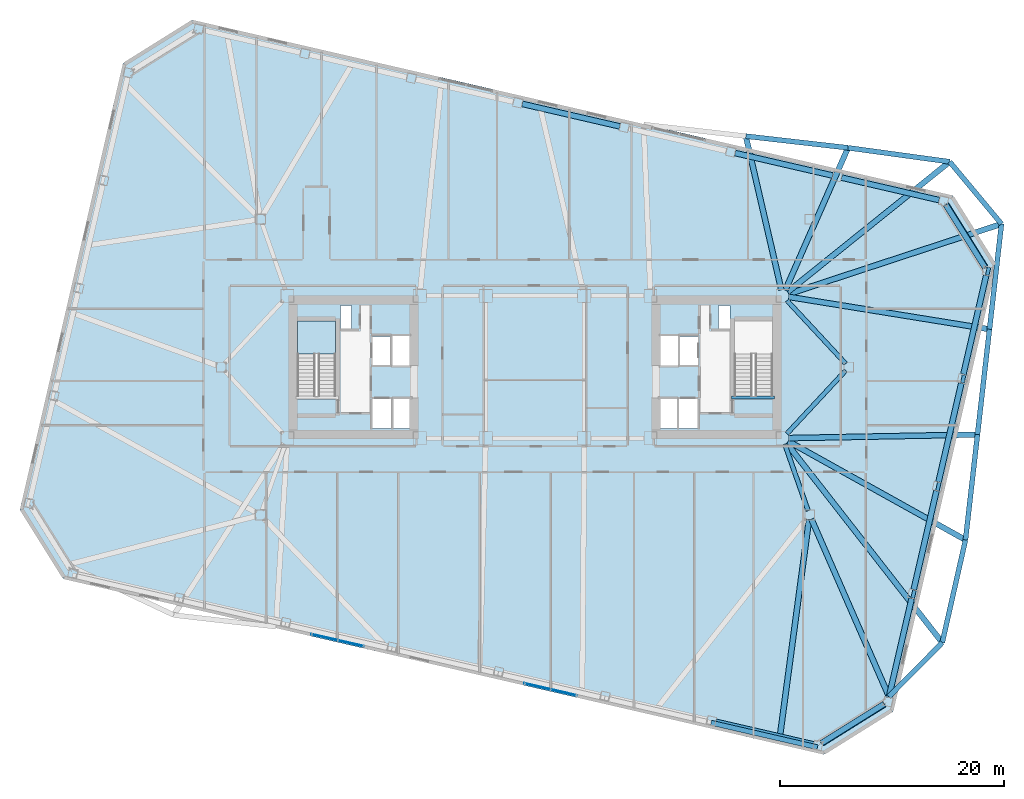
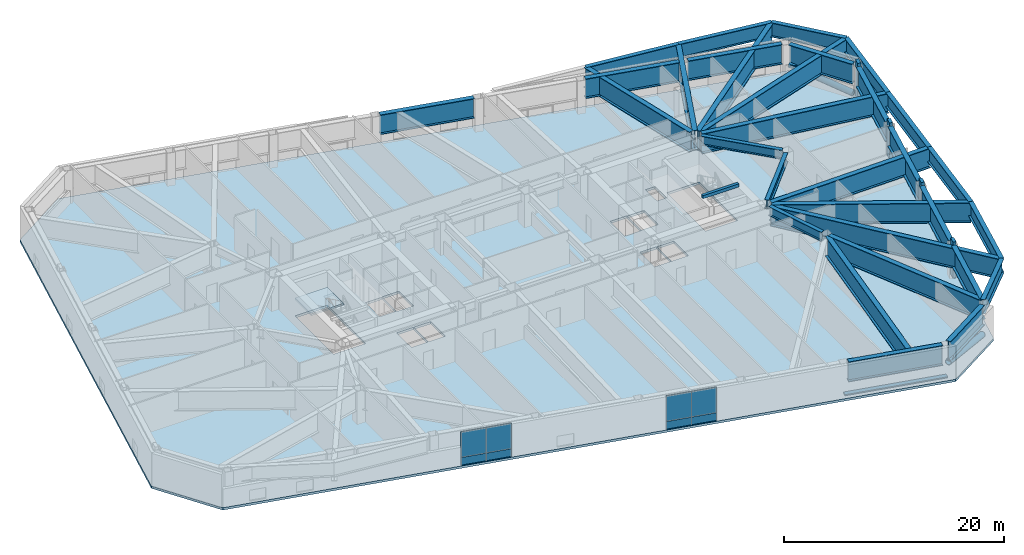
# One storey, part 8 of 19: 32 beams, 8 plates, 7 members, 2 slabs, 3 elements without a shape of their own.
"""IFC4 building model written with IfcOpenShell, lengths in metres."""

from ifc_helpers import new_model, si_unit, direction, frame, origin, origin_2d, place, context, subcontext, project, spatial, polyline, rectangle, hollow_circle, i_section, outline, extrude, material, layer, layer_set, material_profile, profile_set, type_object, element, aggregate, save


model = new_model("IFC4")

# Units and contexts
model_context = context("Model", 3, precision=1e-05, world=origin(), true_north=direction((0.0, 1.0)))
body_context = subcontext(model_context, "Body", "Model", "MODEL_VIEW")
ifc_project = project(units=[si_unit("LENGTHUNIT", "METRE"), si_unit("AREAUNIT", "SQUARE_METRE"), si_unit("VOLUMEUNIT", "CUBIC_METRE"), si_unit("PLANEANGLEUNIT", "RADIAN"), si_unit("MASSUNIT", "GRAM", prefix="KILO")], contexts=[model_context])

# Site, building, storey
site_placement = place(None, origin())
site = spatial("IfcSite", under=ifc_project, at=site_placement, CompositionType="ELEMENT")
building_placement = place(site_placement, origin())
building = spatial("IfcBuilding", under=site, at=building_placement, Name="Tavrogorsk Clinical Tower", CompositionType="ELEMENT")
storey_placement = place(building_placement, frame((0.0, 0.0, 79.39990234375)))
storey = spatial("IfcBuildingStorey", under=building, at=storey_placement, Name="L17", CompositionType="ELEMENT", Elevation=79.39990234375)

# Members
ifc_material_1 = material(Name="Anodised aluminium alloy AW-6063", Category="aluminium")
ifc_material_profile_1 = material_profile(ifc_material_1, rectangle(XDim=0.449951171875, YDim=0.1201171875, at=origin_2d()), Name="ALU-SUNSHADE-450x120")
ifc_profile_set_1 = profile_set([ifc_material_profile_1], Name="Anodised aluminium alloy AW-6063")
member_type_1 = type_object("IfcMemberType", Name="ChicagoSunshade_450x120", PredefinedType="USERDEFINED", material=ifc_profile_set_1)
member_placement = place(storey_placement, frame((15.700439453125, -31.739013671875, 0.18017578125), z_axis=(0.97437219846, -0.224941812182, 0.0), x_axis=(0.224941812182, 0.97437219846, 0.0)))
element("IfcMember", 1, at=member_placement, inside=storey, type_object=member_type_1, Name="L17 South Aluminium Sunshade S7", ObjectType="SUNSHADE", PredefinedType="USERDEFINED", context=body_context, shape_type="SweptSolid", body=[
    extrude(rectangle(XDim=0.449951171875, YDim=0.1201171875, at=origin_2d()), origin(), (0.0, 0.0, 1.0), 9.74853515625),
])
ifc_material_2 = material(Name="Structural steel S440", Category="steel")
ifc_material_profile_2 = material_profile(ifc_material_2, hollow_circle(Radius=0.304931640625, WallThickness=0.02490234375, at=origin_2d()), Name="CHS-610x25")
ifc_profile_set_2 = profile_set([ifc_material_profile_2], Name="Structural steel S440")
member_type_2 = type_object("IfcMemberType", Name="ExoBrace_CHS610", PredefinedType="BRACE", material=ifc_profile_set_2)
for number, where, z_axis, x_axis, name in (
    (2, (31.13427734375, -30.073486328125, 0.362060546875), (-0.838216058461, -0.523760647531, 0.151883585143), (0.529908438785, -0.848054860551, 0.0), "L17 Corner Exoskeleton Brace S8-E1"),
    (3, (40.134521484375, 8.911376953125, 0.362060546875), (-0.523744467234, 0.838227018701, 0.151878893074), (-0.848065330806, -0.52989168203, 0.0), "L17 Corner Exoskeleton Brace E5-N1"),
):
    element("IfcMember", number, at=place(storey_placement, frame(where, z_axis=z_axis, x_axis=x_axis)), inside=storey, type_object=member_type_2, Name=name, PredefinedType="BRACE", context=body_context, shape_type="SweptSolid", body=[
        extrude(hollow_circle(Radius=0.304931640625, WallThickness=0.02490234375, at=origin_2d()), origin(), (0.0, 0.0, 1.0), 6.624267578125),
    ])
ifc_material_3 = material(Name="Precast concrete B45 with limestone cladding", Category="masonry")
ifc_material_profile_3 = material_profile(ifc_material_3, rectangle(XDim=0.320068359375, YDim=0.719970703125, at=origin_2d()), Name="LIMESTONE-FIN-320x720")
ifc_profile_set_3 = profile_set([ifc_material_profile_3], Name="Precast concrete B45 with limestone cladding")
member_type_3 = type_object("IfcMemberType", Name="LimestonePleatFin_320x720", PredefinedType="USERDEFINED", material=ifc_profile_set_3)
for number, where, z_axis, x_axis, name in (
    (4, (33.772216796875, -20.2705078125, 0.0), (0.0, 0.0, 1.0), (0.974370064785, -0.224951054344, 0.0), "L17 E Pleated Stone Fin 1"),
    (5, (35.990234375, -10.6630859375, 0.0), (0.0, 0.0, 1.0), (0.974370064785, -0.224951054344, 0.0), "L17 E Pleated Stone Fin 2"),
    (6, (38.208251953125, -1.055908203125, 0.0), (0.0, 0.0, 1.0), (0.974370064785, -0.224951054344, 0.0), "L17 E Pleated Stone Fin 3"),
    (7, (40.42626953125, 8.551513671875, 0.0), (0.0, 0.0, 1.0), (0.974370064785, -0.224951054344, 0.0), "L17 E Pleated Stone Fin 4"),
):
    element("IfcMember", number, at=place(storey_placement, frame(where, z_axis=z_axis, x_axis=x_axis)), inside=storey, type_object=member_type_3, Name=name, ObjectType="FIN", PredefinedType="USERDEFINED", context=body_context, shape_type="SweptSolid", body=[
        extrude(rectangle(XDim=0.320068359375, YDim=0.719970703125, at=origin_2d()), origin(), (0.0, 0.0, 1.0), 4.0),
    ])

# Beams
ifc_material_4 = material(Name="Concrete B60", Category="concrete")
ifc_material_profile_4 = material_profile(ifc_material_4, rectangle(XDim=0.300048828125, YDim=0.35009765625, at=origin_2d()), Name="RC-SHB-300x350")
ifc_profile_set_4 = profile_set([ifc_material_profile_4], Name="Concrete B60")
beam_type_1 = type_object("IfcBeamType", Name="StairHeaderBeam_RC300x350", PredefinedType="BEAM", material=ifc_profile_set_4)
beam_1_placement = place(storey_placement, frame((17.550048828125, -2.719970703125, 3.8251953125), z_axis=(1.0, 0.0, 0.0), x_axis=(0.0, 1.0, 0.0)))
element("IfcBeam", 8, at=beam_1_placement, inside=storey, type_object=beam_type_1, Name="L18 ST-E Landing Header Beam", PredefinedType="BEAM", context=body_context, shape_type="SweptSolid", body=[
    extrude(rectangle(XDim=0.300048828125, YDim=0.35009765625, at=origin_2d()), origin(), (0.0, 0.0, 1.0), 3.800048828125),
])
ifc_material_5 = material(Name="Structural steel S440", Category="steel")
ifc_material_profile_5 = material_profile(ifc_material_5, i_section(OverallWidth=0.39990234375, OverallDepth=1.0, WebThickness=0.028076171875, FlangeThickness=0.044921875, at=origin_2d()), Name="DK-1000x400x28x45")
ifc_profile_set_5 = profile_set([ifc_material_profile_5], Name="Structural steel S440")
beam_type_2 = type_object("IfcBeamType", Name="TransferGirder_DK1000", PredefinedType="USERDEFINED", material=ifc_profile_set_5)
beam_2_placement = place(storey_placement, frame((24.364501953125, -12.81298828125, 3.18017578125), z_axis=(-0.330668611543, 0.943746930771, 0.0), x_axis=(-0.943746930771, -0.330668611543, 0.0)))
element("IfcBeam", 9, at=beam_2_placement, inside=storey, type_object=beam_type_2, Name="L17 Spine Link Girder OPG-2", ObjectType="GIRDER", PredefinedType="USERDEFINED", context=body_context, shape_type="SweptSolid", body=[
    extrude(i_section(OverallWidth=0.39990234375, OverallDepth=1.0, WebThickness=0.028076171875, FlangeThickness=0.044921875, at=origin_2d()), origin(), (0.0, 0.0, 1.0), 6.288330078125),
])
for number, where, z_axis, x_axis, name in (
    (10, (27.720947265625, -0.30029296875, 3.18017578125), (-0.680671250221, -0.732589004233, 0.0), (0.732589004233, -0.680671250221, 0.0), "L17 Spine Link Girder OPG-7"),
    (11, (27.720947265625, 0.30029296875, 3.18017578125), (-0.680671250221, 0.732589004233, 0.0), (-0.732589004233, -0.680671250221, 0.0), "L17 Spine Link Girder OPG-8"),
):
    element("IfcBeam", number, at=place(storey_placement, frame(where, z_axis=z_axis, x_axis=x_axis)), inside=storey, type_object=beam_type_2, Name=name, ObjectType="GIRDER", PredefinedType="USERDEFINED", context=body_context, shape_type="SweptSolid", body=[
        extrude(i_section(OverallWidth=0.39990234375, OverallDepth=1.0, WebThickness=0.028076171875, FlangeThickness=0.044921875, at=origin_2d()), origin(), (0.0, 0.0, 1.0), 7.697998046875),
    ])
ifc_material_6 = material(Name="Structural steel S440", Category="steel")
ifc_material_profile_6 = material_profile(ifc_material_6, i_section(OverallWidth=0.449951171875, OverallDepth=1.60009765625, WebThickness=0.031982421875, FlangeThickness=0.050048828125, at=origin_2d()), Name="DK-1600x450x32x50")
ifc_profile_set_6 = profile_set([ifc_material_profile_6], Name="Structural steel S440")
beam_type_3 = type_object("IfcBeamType", Name="TransferGirder_DK1600", PredefinedType="USERDEFINED", material=ifc_profile_set_6)
beam_3_placement = place(storey_placement, frame((31.58251953125, -29.3994140625, 2.880126953125), z_axis=(0.703068804419, 0.711121829402, 0.0), x_axis=(-0.711121829402, 0.703068804419, 0.0)))
element("IfcBeam", 12, at=beam_3_placement, inside=storey, type_object=beam_type_3, Name="L18 Transfer Edge Girder S8-E1", ObjectType="GIRDER", PredefinedType="USERDEFINED", context=body_context, shape_type="SweptSolid", body=[
    extrude(i_section(OverallWidth=0.449951171875, OverallDepth=1.60009765625, WebThickness=0.031982421875, FlangeThickness=0.050048828125, at=origin_2d()), origin(), (0.0, 0.0, 1.0), 6.760498046875),
])
beam_4_placement = place(storey_placement, frame((36.335693359375, -24.591796875, 2.880126953125), z_axis=(0.220594890978, 0.97536551819, 0.0), x_axis=(-0.97536551819, 0.220594890978, 0.0)))
element("IfcBeam", 13, at=beam_4_placement, inside=storey, type_object=beam_type_3, Name="L18 Transfer Edge Girder E1-E2", ObjectType="GIRDER", PredefinedType="USERDEFINED", context=body_context, shape_type="SweptSolid", body=[
    extrude(i_section(OverallWidth=0.449951171875, OverallDepth=1.60009765625, WebThickness=0.031982421875, FlangeThickness=0.050048828125, at=origin_2d()), origin(), (0.0, 0.0, 1.0), 9.3994140625),
])
for number, where, z_axis, x_axis, name in (
    (14, (38.4091796875, -15.423828125, 2.880126953125), (0.113192845015, 0.993573036992, 0.0), (-0.993573036992, 0.113192845015, 0.0), "L18 Transfer Edge Girder E2-E3"),
    (15, (39.47998046875, -6.024658203125, 2.880126953125), (0.113218322001, 0.993570134195, 0.0), (-0.993570134195, 0.113218322001, 0.0), "L18 Transfer Edge Girder E3-E4"),
    (16, (40.551025390625, 3.37451171875, 2.880126953125), (0.113192845015, 0.993573036992, 0.0), (-0.993573036992, 0.113192845015, 0.0), "L18 Transfer Edge Girder E4-E5"),
):
    element("IfcBeam", number, at=place(storey_placement, frame(where, z_axis=z_axis, x_axis=x_axis)), inside=storey, type_object=beam_type_3, Name=name, ObjectType="GIRDER", PredefinedType="USERDEFINED", context=body_context, shape_type="SweptSolid", body=[
        extrude(i_section(OverallWidth=0.449951171875, OverallDepth=1.60009765625, WebThickness=0.031982421875, FlangeThickness=0.050048828125, at=origin_2d()), origin(), (0.0, 0.0, 1.0), 9.4599609375),
    ])
beam_5_placement = place(storey_placement, frame((41.621826171875, 12.773681640625, 2.880126953125), z_axis=(-0.640217638562, 0.768193579298, 0.0), x_axis=(-0.768193579298, -0.640217638562, 0.0)))
element("IfcBeam", 17, at=beam_5_placement, inside=storey, type_object=beam_type_3, Name="L18 Transfer Edge Girder E5-N1", ObjectType="GIRDER", PredefinedType="USERDEFINED", context=body_context, shape_type="SweptSolid", body=[
    extrude(i_section(OverallWidth=0.449951171875, OverallDepth=1.60009765625, WebThickness=0.031982421875, FlangeThickness=0.050048828125, at=origin_2d()), origin(), (0.0, 0.0, 1.0), 7.224365234375),
])
beam_6_placement = place(storey_placement, frame((36.99658203125, 18.323486328125, 2.880126953125), z_axis=(-0.990724394694, 0.135886620966, 0.0), x_axis=(-0.135886620966, -0.990724394694, 0.0)))
element("IfcBeam", 18, at=beam_6_placement, inside=storey, type_object=beam_type_3, Name="L18 Transfer Edge Girder N1-N2", ObjectType="GIRDER", PredefinedType="USERDEFINED", context=body_context, shape_type="SweptSolid", body=[
    extrude(i_section(OverallWidth=0.449951171875, OverallDepth=1.60009765625, WebThickness=0.031982421875, FlangeThickness=0.050048828125, at=origin_2d()), origin(), (0.0, 0.0, 1.0), 9.15576171875),
])
beam_7_placement = place(storey_placement, frame((27.92578125, 19.567626953125, 2.880126953125), z_axis=(-0.993569662511, 0.113222461274, 0.0), x_axis=(-0.113222461274, -0.993569662511, 0.0)))
element("IfcBeam", 19, at=beam_7_placement, inside=storey, type_object=beam_type_3, Name="L18 Transfer Edge Girder N2-N3", ObjectType="GIRDER", PredefinedType="USERDEFINED", context=body_context, shape_type="SweptSolid", body=[
    extrude(i_section(OverallWidth=0.449951171875, OverallDepth=1.60009765625, WebThickness=0.031982421875, FlangeThickness=0.050048828125, at=origin_2d()), origin(), (0.0, 0.0, 1.0), 9.17724609375),
])
ifc_material_7 = material(Name="Structural steel S440", Category="steel")
ifc_material_profile_7 = material_profile(ifc_material_7, i_section(OverallWidth=0.5, OverallDepth=2.199951171875, WebThickness=0.035888671875, FlangeThickness=0.054931640625, at=origin_2d()), Name="DK-2200x500x36x55")
ifc_profile_set_7 = profile_set([ifc_material_profile_7], Name="Structural steel S440")
beam_type_4 = type_object("IfcBeamType", Name="TransferGirder_DK2200", PredefinedType="USERDEFINED", material=ifc_profile_set_7)
beam_8_placement = place(storey_placement, frame((16.138427734375, -31.655517578125, 2.580078125), z_axis=(0.974372766602, -0.224939351168, 0.0), x_axis=(0.224939351168, 0.974372766602, 0.0)))
element("IfcBeam", 20, at=beam_8_placement, inside=storey, type_object=beam_type_4, Name="L17 Perimeter Spandrel S7-S8", ObjectType="GIRDER", PredefinedType="USERDEFINED", context=body_context, shape_type="SweptSolid", body=[
    extrude(i_section(OverallWidth=0.5, OverallDepth=2.199951171875, WebThickness=0.035888671875, FlangeThickness=0.054931640625, at=origin_2d()), origin(), (0.0, 0.0, 1.0), 8.9326171875),
])
beam_9_placement = place(storey_placement, frame((25.585693359375, -33.540283203125, 2.580078125), z_axis=(0.848061235793, 0.529898235839, 0.0), x_axis=(-0.529898235839, 0.848061235793, 0.0)))
element("IfcBeam", 21, at=beam_9_placement, inside=storey, type_object=beam_type_4, Name="L17 Perimeter Spandrel S8-E1", ObjectType="GIRDER", PredefinedType="USERDEFINED", context=body_context, shape_type="SweptSolid", body=[
    extrude(i_section(OverallWidth=0.5, OverallDepth=2.199951171875, WebThickness=0.035888671875, FlangeThickness=0.054931640625, at=origin_2d()), origin(), (0.0, 0.0, 1.0), 6.537841796875),
])
beam_10_placement = place(storey_placement, frame((31.56787109375, -29.462158203125, 2.580078125), z_axis=(0.224971881043, 0.974365256328, 0.0), x_axis=(-0.974365256328, 0.224971881043, 0.0)))
element("IfcBeam", 22, at=beam_10_placement, inside=storey, type_object=beam_type_4, Name="L17 Perimeter Spandrel E1-E2", ObjectType="GIRDER", PredefinedType="USERDEFINED", context=body_context, shape_type="SweptSolid", body=[
    extrude(i_section(OverallWidth=0.5, OverallDepth=2.199951171875, WebThickness=0.035888671875, FlangeThickness=0.054931640625, at=origin_2d()), origin(), (0.0, 0.0, 1.0), 9.044189453125),
])
for number, where, z_axis, x_axis, name in (
    (23, (33.785888671875, -19.85498046875, 2.580078125), (0.224946252597, 0.974371173343, 0.0), (-0.974371173343, 0.224946252597, 0.0), "L17 Perimeter Spandrel E2-E3"),
    (24, (36.00390625, -10.24755859375, 2.580078125), (0.224946252597, 0.974371173343, 0.0), (-0.974371173343, 0.224946252597, 0.0), "L17 Perimeter Spandrel E3-E4"),
):
    element("IfcBeam", number, at=place(storey_placement, frame(where, z_axis=z_axis, x_axis=x_axis)), inside=storey, type_object=beam_type_4, Name=name, ObjectType="GIRDER", PredefinedType="USERDEFINED", context=body_context, shape_type="SweptSolid", body=[
        extrude(i_section(OverallWidth=0.5, OverallDepth=2.199951171875, WebThickness=0.035888671875, FlangeThickness=0.054931640625, at=origin_2d()), origin(), (0.0, 0.0, 1.0), 9.0439453125),
    ])
beam_11_placement = place(storey_placement, frame((38.221923828125, -0.640380859375, 2.580078125), z_axis=(0.224971881043, 0.974365256328, 0.0), x_axis=(-0.974365256328, 0.224971881043, 0.0)))
element("IfcBeam", 25, at=beam_11_placement, inside=storey, type_object=beam_type_4, Name="L17 Perimeter Spandrel E4-E5", ObjectType="GIRDER", PredefinedType="USERDEFINED", context=body_context, shape_type="SweptSolid", body=[
    extrude(i_section(OverallWidth=0.5, OverallDepth=2.199951171875, WebThickness=0.035888671875, FlangeThickness=0.054931640625, at=origin_2d()), origin(), (0.0, 0.0, 1.0), 9.044189453125),
])
beam_12_placement = place(storey_placement, frame((40.132080078125, 8.91552734375, 2.580078125), z_axis=(-0.529925092475, 0.848044454239, 0.0), x_axis=(-0.848044454239, -0.529925092475, 0.0)))
element("IfcBeam", 26, at=beam_12_placement, inside=storey, type_object=beam_type_4, Name="L17 Perimeter Spandrel E5-N1", ObjectType="GIRDER", PredefinedType="USERDEFINED", context=body_context, shape_type="SweptSolid", body=[
    extrude(i_section(OverallWidth=0.5, OverallDepth=2.199951171875, WebThickness=0.035888671875, FlangeThickness=0.054931640625, at=origin_2d()), origin(), (0.0, 0.0, 1.0), 6.537841796875),
])
for number, where, z_axis, x_axis, name in (
    (27, (36.0537109375, 14.897705078125, 2.580078125), (-0.974366775889, 0.224965299645, 0.0), (-0.224965299645, -0.974366775889, 0.0), "L17 Perimeter Spandrel N1-N2"),
    (28, (26.554931640625, 17.090576171875, 2.580078125), (-0.974366775889, 0.224965299645, 0.0), (-0.224965299645, -0.974366775889, 0.0), "L17 Perimeter Spandrel N2-N3"),
    (29, (7.5576171875, 21.4765625, 2.580078125), (-0.974366775889, 0.224965299645, 0.0), (-0.224965299645, -0.974366775889, 0.0), "L17 Perimeter Spandrel N4-N5"),
):
    element("IfcBeam", number, at=place(storey_placement, frame(where, z_axis=z_axis, x_axis=x_axis)), inside=storey, type_object=beam_type_4, Name=name, ObjectType="GIRDER", PredefinedType="USERDEFINED", context=body_context, shape_type="SweptSolid", body=[
        extrude(i_section(OverallWidth=0.5, OverallDepth=2.199951171875, WebThickness=0.035888671875, FlangeThickness=0.054931640625, at=origin_2d()), origin(), (0.0, 0.0, 1.0), 8.9326171875),
    ])
beam_13_placement = place(storey_placement, frame((24.445556640625, -13.6064453125, 2.580078125), z_axis=(-0.133025440596, -0.991112623345, 0.0), x_axis=(0.991112623345, -0.133025440596, 0.0)))
element("IfcBeam", 30, at=beam_13_placement, inside=storey, type_object=beam_type_4, Name="L18 Block Transfer Girder S7", ObjectType="GIRDER", PredefinedType="USERDEFINED", context=body_context, shape_type="SweptSolid", body=[
    extrude(i_section(OverallWidth=0.5, OverallDepth=2.199951171875, WebThickness=0.035888671875, FlangeThickness=0.054931640625, at=origin_2d()), origin(), (0.0, 0.0, 1.0), 19.540283203125),
])
beam_14_placement = place(storey_placement, frame((24.664306640625, -13.57568359375, 2.580078125), z_axis=(0.400591892799, -0.916256588202, 0.0), x_axis=(0.916256588202, 0.400591892799, 0.0)))
element("IfcBeam", 31, at=beam_14_placement, inside=storey, type_object=beam_type_4, Name="L18 Block Transfer Girder S8", ObjectType="GIRDER", PredefinedType="USERDEFINED", context=body_context, shape_type="SweptSolid", body=[
    extrude(i_section(OverallWidth=0.5, OverallDepth=2.199951171875, WebThickness=0.035888671875, FlangeThickness=0.054931640625, at=origin_2d()), origin(), (0.0, 0.0, 1.0), 17.27001953125),
])
beam_15_placement = place(storey_placement, frame((22.536376953125, 6.700927734375, 2.580078125), z_axis=(0.779436526952, 0.626481205188, 0.0), x_axis=(-0.626481205188, 0.779436526952, 0.0)))
element("IfcBeam", 32, at=beam_15_placement, inside=storey, type_object=beam_type_4, Name="L18 Block Transfer Girder N1", ObjectType="GIRDER", PredefinedType="USERDEFINED", context=body_context, shape_type="SweptSolid", body=[
    extrude(i_section(OverallWidth=0.5, OverallDepth=2.199951171875, WebThickness=0.035888671875, FlangeThickness=0.054931640625, at=origin_2d()), origin(), (0.0, 0.0, 1.0), 18.55224609375),
])
beam_16_placement = place(storey_placement, frame((22.325927734375, 6.862548828125, 2.580078125), z_axis=(0.40331896274, 0.915059459431, 0.0), x_axis=(-0.915059459431, 0.40331896274, 0.0)))
element("IfcBeam", 33, at=beam_16_placement, inside=storey, type_object=beam_type_4, Name="L18 Block Transfer Girder N2", ObjectType="GIRDER", PredefinedType="USERDEFINED", context=body_context, shape_type="SweptSolid", body=[
    extrude(i_section(OverallWidth=0.5, OverallDepth=2.199951171875, WebThickness=0.035888671875, FlangeThickness=0.054931640625, at=origin_2d()), origin(), (0.0, 0.0, 1.0), 13.884521484375),
])
beam_17_placement = place(storey_placement, frame((21.973876953125, 6.895751953125, 2.580078125), z_axis=(-0.225007755976, 0.974356972444, 0.0), x_axis=(-0.974356972444, -0.225007755976, 0.0)))
element("IfcBeam", 34, at=beam_17_placement, inside=storey, type_object=beam_type_4, Name="L18 Block Transfer Girder N3", ObjectType="GIRDER", PredefinedType="USERDEFINED", context=body_context, shape_type="SweptSolid", body=[
    extrude(i_section(OverallWidth=0.5, OverallDepth=2.199951171875, WebThickness=0.035888671875, FlangeThickness=0.054931640625, at=origin_2d()), origin(), (0.0, 0.0, 1.0), 14.07177734375),
])
beam_18_placement = place(storey_placement, frame((22.444580078125, -6.79150390625, 2.580078125), z_axis=(0.615221359577, -0.788354411873, 0.0), x_axis=(0.788354411873, 0.615221359577, 0.0)))
element("IfcBeam", 35, at=beam_18_placement, inside=storey, type_object=beam_type_4, Name="L18 Block Transfer Girder E1", ObjectType="GIRDER", PredefinedType="USERDEFINED", context=body_context, shape_type="SweptSolid", body=[
    extrude(i_section(OverallWidth=0.5, OverallDepth=2.199951171875, WebThickness=0.035888671875, FlangeThickness=0.054931640625, at=origin_2d()), origin(), (0.0, 0.0, 1.0), 22.5791015625),
])
beam_19_placement = place(storey_placement, frame((22.58935546875, -6.622314453125, 2.580078125), z_axis=(0.873858767636, -0.486179857898, 0.0), x_axis=(0.486179857898, 0.873858767636, 0.0)))
element("IfcBeam", 36, at=beam_19_placement, inside=storey, type_object=beam_type_4, Name="L18 Block Transfer Girder E2", ObjectType="GIRDER", PredefinedType="USERDEFINED", context=body_context, shape_type="SweptSolid", body=[
    extrude(i_section(OverallWidth=0.5, OverallDepth=2.199951171875, WebThickness=0.035888671875, FlangeThickness=0.054931640625, at=origin_2d()), origin(), (0.0, 0.0, 1.0), 18.103515625),
])
beam_20_placement = place(storey_placement, frame((22.659912109375, -6.339599609375, 2.580078125), z_axis=(0.999824749269, 0.018720864019, 0.0), x_axis=(-0.018720864019, 0.999824749269, 0.0)))
element("IfcBeam", 37, at=beam_20_placement, inside=storey, type_object=beam_type_4, Name="L18 Block Transfer Girder E3", ObjectType="GIRDER", PredefinedType="USERDEFINED", context=body_context, shape_type="SweptSolid", body=[
    extrude(i_section(OverallWidth=0.5, OverallDepth=2.199951171875, WebThickness=0.035888671875, FlangeThickness=0.054931640625, at=origin_2d()), origin(), (0.0, 0.0, 1.0), 16.822998046875),
])
beam_21_placement = place(storey_placement, frame((22.65283203125, 6.2607421875, 2.580078125), z_axis=(0.98724610531, -0.159201531243, 0.0), x_axis=(0.159201531243, 0.98724610531, 0.0)))
element("IfcBeam", 38, at=beam_21_placement, inside=storey, type_object=beam_type_4, Name="L18 Block Transfer Girder E4", ObjectType="GIRDER", PredefinedType="USERDEFINED", context=body_context, shape_type="SweptSolid", body=[
    extrude(i_section(OverallWidth=0.5, OverallDepth=2.199951171875, WebThickness=0.035888671875, FlangeThickness=0.054931640625, at=origin_2d()), origin(), (0.0, 0.0, 1.0), 18.12939453125),
])
beam_22_placement = place(storey_placement, frame((22.6318359375, 6.525146484375, 2.580078125), z_axis=(0.949898647164, 0.312558090785, 0.0), x_axis=(-0.312558090785, 0.949898647164, 0.0)))
element("IfcBeam", 39, at=beam_22_placement, inside=storey, type_object=beam_type_4, Name="L18 Block Transfer Girder E5", ObjectType="GIRDER", PredefinedType="USERDEFINED", context=body_context, shape_type="SweptSolid", body=[
    extrude(i_section(OverallWidth=0.5, OverallDepth=2.199951171875, WebThickness=0.035888671875, FlangeThickness=0.054931640625, at=origin_2d()), origin(), (0.0, 0.0, 1.0), 19.99169921875),
])

# Curtain wall, plates
ifc_material_8 = material(Name="Anodised aluminium and triple IGU glazing", Category="aluminium")
ifc_layer_1 = layer(ifc_material_8, 0.179931640625)
ifc_layer_set_1 = layer_set([ifc_layer_1], Name="Anodised aluminium and triple IGU glazing")
curtain_wall_type = type_object("IfcCurtainWallType", Name="CW3_SouthSlot", PredefinedType="NOTDEFINED", material=ifc_layer_set_1)
curtain_wall_1_placement = place(storey_placement, origin())
curtain_wall_1 = element("IfcCurtainWall", 40, at=curtain_wall_1_placement, inside=storey, type_object=curtain_wall_type, Name="L17 Curtain Wall CW-L17-S-SLOT-1", PredefinedType="NOTDEFINED")
ifc_material_9 = material(Name="Honed Podolsk limestone spandrel panel", Category="masonry")
ifc_layer_2 = layer(ifc_material_9, 0.080078125)
ifc_layer_set_2 = layer_set([ifc_layer_2], Name="Honed Podolsk limestone spandrel panel")
plate_type_1 = type_object("IfcPlateType", Name="CwSpandrelStonePanel_80", PredefinedType="CURTAIN_PANEL", material=ifc_layer_set_2)
plate_1_placement = place(storey_placement, frame((-18.79638671875, -24.113525390625, 0.002197265625), z_axis=(0.0, 0.0, 1.0), x_axis=(0.974370046851, -0.224951132027, 0.0)))
plate_1 = element("IfcPlate", 41, at=plate_1_placement, type_object=plate_type_1, Name="CW-L17-S-SLOT-1 Stone Spandrel Panel 1", PredefinedType="CURTAIN_PANEL", context=body_context, shape_type="SweptSolid", body=[
    extrude(rectangle(XDim=2.39208984375, YDim=0.080078125, at=origin_2d()), origin(), (0.0, 0.0, 1.0), 0.8359375),
])
plate_2_placement = place(storey_placement, frame((-16.442138671875, -24.656982421875, 0.002197265625), z_axis=(0.0, 0.0, 1.0), x_axis=(0.974370046851, -0.224951132027, 0.0)))
plate_2 = element("IfcPlate", 42, at=plate_2_placement, type_object=plate_type_1, Name="CW-L17-S-SLOT-1 Stone Spandrel Panel 2", PredefinedType="CURTAIN_PANEL", context=body_context, shape_type="SweptSolid", body=[
    extrude(rectangle(XDim=2.39208984375, YDim=0.080078125, at=origin_2d()), origin(), (0.0, 0.0, 1.0), 0.8359375),
])

curtain_wall_2_placement = place(storey_placement, origin())
curtain_wall_2 = element("IfcCurtainWall", 43, at=curtain_wall_2_placement, inside=storey, type_object=curtain_wall_type, Name="L17 Curtain Wall CW-L17-S-SLOT-2", PredefinedType="NOTDEFINED")
plate_3_placement = place(storey_placement, frame((0.201171875, -28.49951171875, 0.002197265625), z_axis=(0.0, 0.0, 1.0), x_axis=(0.974370102963, -0.224950888978, 0.0)))
plate_3 = element("IfcPlate", 44, at=plate_3_placement, type_object=plate_type_1, Name="CW-L17-S-SLOT-2 Stone Spandrel Panel 1", PredefinedType="CURTAIN_PANEL", context=body_context, shape_type="SweptSolid", body=[
    extrude(rectangle(XDim=2.39208984375, YDim=0.080078125, at=origin_2d()), origin(), (0.0, 0.0, 1.0), 0.8359375),
])
plate_4_placement = place(storey_placement, frame((2.55517578125, -29.04296875, 0.002197265625), z_axis=(0.0, 0.0, 1.0), x_axis=(0.974370102963, -0.224950888978, 0.0)))
plate_4 = element("IfcPlate", 45, at=plate_4_placement, type_object=plate_type_1, Name="CW-L17-S-SLOT-2 Stone Spandrel Panel 2", PredefinedType="CURTAIN_PANEL", context=body_context, shape_type="SweptSolid", body=[
    extrude(rectangle(XDim=2.39208984375, YDim=0.080078125, at=origin_2d()), origin(), (0.0, 0.0, 1.0), 0.8359375),
])

# Plate
ifc_material_10 = material(Name="Triple low-E argon insulated glass", Category="glass")
ifc_layer_3 = layer(ifc_material_10, 0.048095703125)
ifc_layer_set_3 = layer_set([ifc_layer_3], Name="Triple low-E argon insulated glass")
plate_type_2 = type_object("IfcPlateType", Name="CwVisionGlassPanel_48", PredefinedType="CURTAIN_PANEL", material=ifc_layer_set_3)
plate_5_placement = place(storey_placement, frame((-18.79638671875, -24.113525390625, 0.862060546875), z_axis=(0.0, 0.0, 1.0), x_axis=(0.974370046851, -0.224951132027, 0.0)))
plate_5 = element("IfcPlate", 46, at=plate_5_placement, type_object=plate_type_2, Name="CW-L17-S-SLOT-1 Glazing Panel 1", PredefinedType="CURTAIN_PANEL", context=body_context, shape_type="SweptSolid", body=[
    extrude(rectangle(XDim=2.39208984375, YDim=0.048095703125, at=origin_2d()), origin(), (0.0, 0.0, 1.0), 2.81591796875),
])

plate_6_placement = place(storey_placement, frame((-16.442138671875, -24.656982421875, 0.862060546875), z_axis=(0.0, 0.0, 1.0), x_axis=(0.974370046851, -0.224951132027, 0.0)))
plate_6 = element("IfcPlate", 47, at=plate_6_placement, type_object=plate_type_2, Name="CW-L17-S-SLOT-1 Glazing Panel 2", PredefinedType="CURTAIN_PANEL", context=body_context, shape_type="SweptSolid", body=[
    extrude(rectangle(XDim=2.39208984375, YDim=0.048095703125, at=origin_2d()), origin(), (0.0, 0.0, 1.0), 2.81591796875),
])

aggregate(curtain_wall_1, [plate_1, plate_5, plate_2, plate_6])

plate_7_placement = place(storey_placement, frame((0.201171875, -28.49951171875, 0.862060546875), z_axis=(0.0, 0.0, 1.0), x_axis=(0.974370102963, -0.224950888978, 0.0)))
plate_7 = element("IfcPlate", 48, at=plate_7_placement, type_object=plate_type_2, Name="CW-L17-S-SLOT-2 Glazing Panel 1", PredefinedType="CURTAIN_PANEL", context=body_context, shape_type="SweptSolid", body=[
    extrude(rectangle(XDim=2.39208984375, YDim=0.048095703125, at=origin_2d()), origin(), (0.0, 0.0, 1.0), 2.81591796875),
])

plate_8_placement = place(storey_placement, frame((2.55517578125, -29.04296875, 0.862060546875), z_axis=(0.0, 0.0, 1.0), x_axis=(0.974370102963, -0.224950888978, 0.0)))
plate_8 = element("IfcPlate", 49, at=plate_8_placement, type_object=plate_type_2, Name="CW-L17-S-SLOT-2 Glazing Panel 2", PredefinedType="CURTAIN_PANEL", context=body_context, shape_type="SweptSolid", body=[
    extrude(rectangle(XDim=2.39208984375, YDim=0.048095703125, at=origin_2d()), origin(), (0.0, 0.0, 1.0), 2.81591796875),
])

aggregate(curtain_wall_2, [plate_3, plate_7, plate_4, plate_8])

# Stair, slab
ifc_material_11 = material(Name="Concrete B60", Category="concrete")
stair_type = type_object("IfcStairType", Name="CoreStairAssembly", PredefinedType="HALF_TURN_STAIR", material=ifc_material_11)
stair_placement = place(storey_placement, origin())
stair = element("IfcStair", 50, at=stair_placement, inside=storey, type_object=stair_type, Name="L17 ST-W", PredefinedType="HALF_TURN_STAIR")
ifc_material_12 = material(Name="Concrete B60", Category="concrete")
ifc_layer_4 = layer(ifc_material_12, 0.199951171875)
ifc_layer_set_4 = layer_set([ifc_layer_4], Name="Concrete B60")
slab_type_1 = type_object("IfcSlabType", Name="StairLanding_200", PredefinedType="LANDING", material=ifc_layer_set_4)
slab_1_placement = place(storey_placement, frame((0.0, 0.0, 1.800048828125)))
slab_1 = element("IfcSlab", 51, at=slab_1_placement, type_object=slab_type_1, Name="ST-W landing 1", PredefinedType="LANDING", context=body_context, shape_type="SweptSolid", body=[
    extrude(outline(polyline([(-17.800048828125, 1.1650390625), (-17.800048828125, 4.125), (-21.199951171875, 4.125), (-21.199951171875, 1.1650390625), (-17.800048828125, 1.1650390625)])), origin(), (0.0, 0.0, 1.0), 0.199951171875),
])
aggregate(stair, [slab_1])

# Slab
ifc_material_13 = material(Name="Concrete B60", Category="concrete")
ifc_layer_5 = layer(ifc_material_13, 0.260009765625)
ifc_layer_set_5 = layer_set([ifc_layer_5], Name="Concrete B60")
slab_type_2 = type_object("IfcSlabType", Name="WardSlab_260", PredefinedType="FLOOR", material=ifc_layer_set_5)
slab_2_placement = place(storey_placement, frame((0.0, 0.0, -0.260009765625)))
element("IfcSlab", 52, at=slab_2_placement, inside=storey, type_object=slab_type_2, Name="L17 Structural Slab", PredefinedType="FLOOR", context=body_context, shape_type="SweptSolid", body=[
    extrude(outline(polyline([(-42.06689453125, -18.91552734375), (25.749267578125, -34.572265625), (31.98583984375, -30.67529296875), (41.163818359375, 9.0791015625), (37.266845703125, 15.315673828125), (-30.54931640625, 30.97216796875), (-36.785888671875, 27.0751953125), (-45.9638671875, -12.67919921875), (-42.06689453125, -18.91552734375)]), holes=[polyline([(-17.800048828125, -2.8798828125), (-17.800048828125, 4.125), (-21.199951171875, 4.125), (-21.199951171875, -2.8798828125), (-17.800048828125, -2.8798828125)]), polyline([(21.199951171875, -2.8798828125), (21.199951171875, 4.125), (17.800048828125, 4.125), (17.800048828125, -2.8798828125), (21.199951171875, -2.8798828125)]), polyline([(-14.6201171875, 0.169921875), (-12.860107421875, 0.169921875), (-12.860107421875, 2.72998046875), (-14.6201171875, 2.72998046875), (-14.6201171875, 0.169921875)]), polyline([(-14.530029296875, -5.47998046875), (-12.77001953125, -5.47998046875), (-12.77001953125, -2.820068359375), (-14.530029296875, -2.820068359375), (-14.530029296875, -5.47998046875)]), polyline([(-12.72998046875, -5.47998046875), (-10.969970703125, -5.47998046875), (-10.969970703125, -2.820068359375), (-12.72998046875, -2.820068359375), (-12.72998046875, -5.47998046875)]), polyline([(-12.840087890625, 0.1201171875), (-11.080078125, 0.1201171875), (-11.080078125, 2.780029296875), (-12.840087890625, 2.780029296875), (-12.840087890625, 0.1201171875)]), polyline([(12.860107421875, 0.169921875), (14.6201171875, 0.169921875), (14.6201171875, 2.72998046875), (12.860107421875, 2.72998046875), (12.860107421875, 0.169921875)]), polyline([(12.77001953125, -5.47998046875), (14.530029296875, -5.47998046875), (14.530029296875, -2.820068359375), (12.77001953125, -2.820068359375), (12.77001953125, -5.47998046875)]), polyline([(10.969970703125, -5.47998046875), (12.72998046875, -5.47998046875), (12.72998046875, -2.820068359375), (10.969970703125, -2.820068359375), (10.969970703125, -5.47998046875)]), polyline([(11.080078125, 0.1201171875), (12.840087890625, 0.1201171875), (12.840087890625, 2.780029296875), (11.080078125, 2.780029296875), (11.080078125, 0.1201171875)]), polyline([(-17.3798828125, 3.449951171875), (-16.3798828125, 3.449951171875), (-16.3798828125, 5.5), (-17.3798828125, 5.5), (-17.3798828125, 3.449951171875)]), polyline([(16.3798828125, 3.449951171875), (17.3798828125, 3.449951171875), (17.3798828125, 5.5), (16.3798828125, 5.5), (16.3798828125, 3.449951171875)])]), origin(), (0.0, 0.0, 1.0), 0.260009765625),
])

save(model, "model.ifc")
